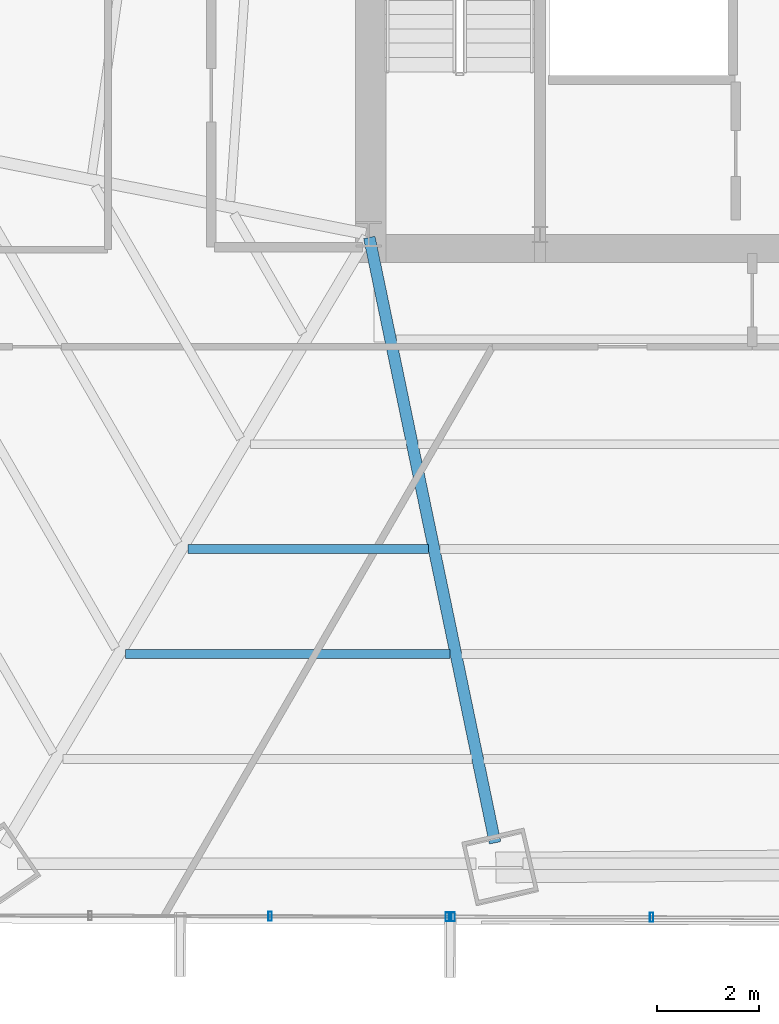
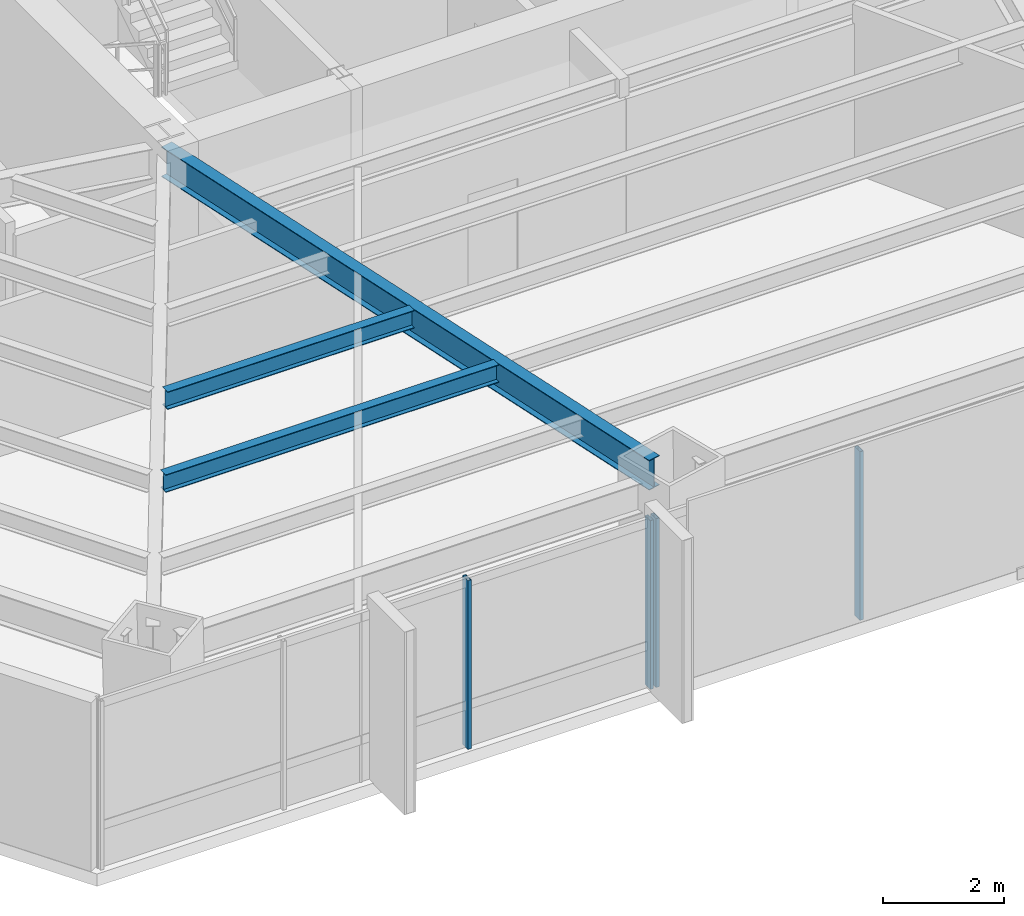
# One storey, part 5 of 33: 4 members, 3 beams, 2 elements without a shape of their own.
"""IFC4 building model written with IfcOpenShell, lengths in metres."""

import ifcopenshell
import ifcopenshell.guid

model = None  # the IFC model being written
_history = None  # IfcOwnerHistory: only IFC2X3 demands one
_inside = {}  # id of a spatial element -> (the spatial element, [elements in it])
_under = {}  # id of a project, library or spatial element -> (it, [spatial elements below it])
_declared = {}  # id of a project -> (the project, [libraries it declares])
_typed = {}  # id of a type object -> (the type object, [elements of that type])
_made_of = {}  # id of a material, layer set ... -> (it, [elements and type objects made of it])


def new_model(schema):
    """Start an empty IFC model of exactly this schema.

    Asked for "IFC4X3", IfcOpenShell would pick the latest addendum, in which some entities
    have other attributes; the version numbers below select the first issue.
    IFC2X3 requires an IfcOwnerHistory on every rooted entity: one is made here for all.
    """
    global model, _history
    if schema == "IFC4X3":
        model = ifcopenshell.file(schema_version=(4, 3, 0, 0))
    else:
        model = ifcopenshell.file(schema=schema)
    _inside.clear()
    _under.clear()
    _declared.clear()
    _typed.clear()
    _made_of.clear()
    _history = None
    if model.schema == "IFC2X3":
        org = make("IfcOrganization", Name="unknown")
        user = make(
            "IfcPersonAndOrganization",
            ThePerson=make("IfcPerson", FamilyName="unknown"),
            TheOrganization=org,
        )
        app = make(
            "IfcApplication",
            ApplicationDeveloper=org,
            Version="unknown",
            ApplicationFullName="unknown",
            ApplicationIdentifier="unknown",
        )
        _history = make(
            "IfcOwnerHistory",
            OwningUser=user,
            OwningApplication=app,
            ChangeAction="ADDED",
            CreationDate=0,
        )
    return model


def make(cls, **values):
    """One entity of the class cls with the attributes given. An attribute that is None is left unset."""
    return model.create_entity(
        cls, **{name: value for name, value in values.items() if value is not None}
    )


def rooted(cls, **values):
    """An entity with a GlobalId (a new one), such as an element, a storey or a relation."""
    return make(cls, GlobalId=ifcopenshell.guid.new(), OwnerHistory=_history, **values)


def si_unit(unit_type, name, prefix=None):
    """IfcSIUnit, for example si_unit("LENGTHUNIT", "METRE", prefix="MILLI")."""
    return make("IfcSIUnit", UnitType=unit_type, Prefix=prefix, Name=name)


def assignment(units):
    """IfcUnitAssignment: the units of a project."""
    return None if units is None else make("IfcUnitAssignment", Units=units)


def point(xyz):
    """IfcCartesianPoint."""
    return None if xyz is None else make("IfcCartesianPoint", Coordinates=xyz)


def direction(xyz):
    """IfcDirection."""
    return None if xyz is None else make("IfcDirection", DirectionRatios=xyz)


def frame(location, z_axis=None, x_axis=None):
    """IfcAxis2Placement3D, a coordinate frame: its origin and axes. An axis left out is left unset."""
    return make(
        "IfcAxis2Placement3D",
        Location=point(location),
        Axis=direction(z_axis),
        RefDirection=direction(x_axis),
    )


def frame_2d(location, x_axis=None):
    """IfcAxis2Placement2D, a coordinate frame in the plane: its origin and x axis."""
    return make(
        "IfcAxis2Placement2D", Location=point(location), RefDirection=direction(x_axis)
    )


def origin():
    """The frame at (0, 0, 0) with its axes left unset."""
    return frame((0.0, 0.0, 0.0))


def origin_2d():
    """The frame at (0, 0) in the plane with its x axis left unset."""
    return frame_2d((0.0, 0.0))


def place(relative_to, where):
    """IfcLocalPlacement: puts the frame where relative to a parent placement (None: the world)."""
    return make(
        "IfcLocalPlacement", PlacementRelTo=relative_to, RelativePlacement=where
    )


def context(
    kind, dimensions, precision=None, world=None, true_north=None, identifier=None
):
    """IfcGeometricRepresentationContext, for example the 3D "Model" context."""
    return make(
        "IfcGeometricRepresentationContext",
        ContextIdentifier=identifier,
        ContextType=kind,
        CoordinateSpaceDimension=dimensions,
        Precision=precision,
        WorldCoordinateSystem=world,
        TrueNorth=true_north,
    )


def subcontext(parent, identifier, kind, view, scale=None):
    """IfcGeometricRepresentationSubContext, for example "Body" below "Model"."""
    return make(
        "IfcGeometricRepresentationSubContext",
        ContextIdentifier=identifier,
        ContextType=kind,
        ParentContext=parent,
        TargetScale=scale,
        TargetView=view,
    )


def project(units=None, contexts=None):
    """IfcProject with its units and contexts."""
    return rooted(
        "IfcProject",
        Name="project",
        RepresentationContexts=contexts,
        UnitsInContext=assignment(units),
    )


def spatial(cls, under=None, at=None, **own):
    """A site, building, storey or space (cls), placed at a placement, below another one or the project."""
    s = rooted(cls, ObjectPlacement=at, **own)
    if under is not None:
        _under.setdefault(under.id(), (under, []))[1].append(s)
    return s


def profile(cls, at=None, kind="AREA", **sizes):
    """A parametric profile (cls). Its sizes go by their IFC names, for example OverallWidth=200.0."""
    return make(cls, ProfileType=kind, Position=at, **sizes)


def hollow_rectangle(**sizes):
    """IfcRectangleHollowProfileDef."""
    return profile("IfcRectangleHollowProfileDef", **sizes)


def i_section(**sizes):
    """IfcIShapeProfileDef."""
    return profile("IfcIShapeProfileDef", **sizes)


def extrude(swept, where, along, depth):
    """IfcExtrudedAreaSolid: the profile swept, set in the frame where, extruded along a direction by depth."""
    return make(
        "IfcExtrudedAreaSolid",
        SweptArea=swept,
        Position=where,
        ExtrudedDirection=direction(along),
        Depth=depth,
    )


def shape(context_of_items, identifier, shape_type, items):
    """IfcShapeRepresentation: the items that make up one representation, for example the "Body"."""
    return make(
        "IfcShapeRepresentation",
        ContextOfItems=context_of_items,
        RepresentationIdentifier=identifier,
        RepresentationType=shape_type,
        Items=items,
    )


def source(mapping_origin, context_of_items, identifier, shape_type, items):
    """IfcRepresentationMap: a shape defined once, which mapped items show again and again."""
    return make(
        "IfcRepresentationMap",
        MappingOrigin=mapping_origin,
        MappedRepresentation=shape(context_of_items, identifier, shape_type, items),
    )


def transform(
    local_origin,
    x_axis=None,
    y_axis=None,
    z_axis=None,
    scale=None,
    scale2=None,
    scale3=None,
    uniform=True,
):
    """IfcCartesianTransformationOperator3D, or its non-uniform kind. x_axis, y_axis, z_axis: its Axis1, 2, 3."""
    if uniform:
        return make(
            "IfcCartesianTransformationOperator3D",
            Axis1=direction(x_axis),
            Axis2=direction(y_axis),
            LocalOrigin=point(local_origin),
            Scale=scale,
            Axis3=direction(z_axis),
        )
    return make(
        "IfcCartesianTransformationOperator3DnonUniform",
        Axis1=direction(x_axis),
        Axis2=direction(y_axis),
        LocalOrigin=point(local_origin),
        Scale=scale,
        Axis3=direction(z_axis),
        Scale2=scale2,
        Scale3=scale3,
    )


def mapped(mapping_source, mapping_target):
    """IfcMappedItem: shows the shape of a source again, moved by a transform."""
    return make(
        "IfcMappedItem", MappingSource=mapping_source, MappingTarget=mapping_target
    )


def material(Name=None, Category=None):
    """IfcMaterial."""
    return make("IfcMaterial", Name=Name, Category=Category)


def material_profile(
    of_material, cross_section, Name=None, Category=None, Priority=None
):
    """IfcMaterialProfile: a cross section and its material."""
    return make(
        "IfcMaterialProfile",
        Name=Name,
        Material=of_material,
        Profile=cross_section,
        Priority=Priority,
        Category=Category,
    )


def profile_set(profiles, Name=None, composite=None):
    """IfcMaterialProfileSet."""
    return make(
        "IfcMaterialProfileSet",
        Name=Name,
        MaterialProfiles=profiles,
        CompositeProfile=composite,
    )


def made_of(thing, what):
    """Note that an element or type object is made of a material, layer set ...; save() writes the relation."""
    if what is not None:
        _made_of.setdefault(what.id(), (what, []))[1].append(thing)
    return thing


def type_object(cls, material=None, **own):
    """A type object (cls), such as IfcWallType, which elements share."""
    return made_of(rooted(cls, **own), material)


def type_shapes(of_type, sources):
    """Give a type object the sources (RepresentationMaps) that its elements show as mapped items."""
    of_type.RepresentationMaps = sources


def element(
    cls,
    number,
    at=None,
    inside=None,
    cuts=None,
    type_object=None,
    material=None,
    context=None,
    identifier="Body",
    shape_type=None,
    held_by="IfcProductDefinitionShape",
    body=None,
    shapes=None,
    **own,
):
    """One element of the class cls, such as IfcWall. Its Tag is "e" and its number.

    at: its placement. inside: the storey or other place that contains it. cuts: it is an
    opening in that element (IfcRelVoidsElement). A single representation is given by context,
    identifier, shape_type and body (its items); several are given by shapes. held_by: the class
    of the entity that holds the representations. save() writes the other relations.
    """
    e = rooted(cls, Tag="e%d" % number, ObjectPlacement=at, **own)
    if body is not None:
        shapes = [shape(context, identifier, shape_type, body)]
    if shapes is not None:
        e.Representation = make(held_by, Representations=shapes)
    if inside is not None:
        _inside.setdefault(inside.id(), (inside, []))[1].append(e)
    if cuts is not None:
        rooted(
            "IfcRelVoidsElement", RelatingBuildingElement=cuts, RelatedOpeningElement=e
        )
    if type_object is not None:
        _typed.setdefault(type_object.id(), (type_object, []))[1].append(e)
    return made_of(e, material)


def aggregate(whole, parts):
    """IfcRelAggregates: a whole, such as a stair, and the parts it consists of."""
    return rooted("IfcRelAggregates", RelatingObject=whole, RelatedObjects=parts)


def save(model, path):
    """Write the relations noted so far, then the file.

    IfcRelAggregates (storeys below a building ...), IfcRelContainedInSpatialStructure (elements
    in a storey), IfcRelDefinesByType, IfcRelAssociatesMaterial and IfcRelDeclares: one each for
    every whole, place, type object, material and project.
    """
    for whole, parts in _under.values():
        aggregate(whole, parts)
    for where, things in _inside.values():
        rooted(
            "IfcRelContainedInSpatialStructure",
            RelatedElements=things,
            RelatingStructure=where,
        )
    for kind, things in _typed.values():
        rooted("IfcRelDefinesByType", RelatedObjects=things, RelatingType=kind)
    for what, things in _made_of.values():
        rooted("IfcRelAssociatesMaterial", RelatedObjects=things, RelatingMaterial=what)
    for by, libraries in _declared.values():
        rooted("IfcRelDeclares", RelatingContext=by, RelatedDefinitions=libraries)
    model.write(path)


model = new_model("IFC4")

# Units and contexts
model_context = context("Model", 3, precision=1e-05, world=origin(), true_north=direction((0.0, 1.0)))
body_context = subcontext(model_context, "Body", "Model", "MODEL_VIEW")
ifc_project = project(units=[si_unit("LENGTHUNIT", "METRE"), si_unit("AREAUNIT", "SQUARE_METRE"), si_unit("VOLUMEUNIT", "CUBIC_METRE"), si_unit("PLANEANGLEUNIT", "RADIAN"), si_unit("MASSUNIT", "GRAM", prefix="KILO")], contexts=[model_context])

# Site, building, storey
site_placement = place(None, origin())
site = spatial("IfcSite", under=ifc_project, at=site_placement, CompositionType="ELEMENT")
building_placement = place(site_placement, origin())
building = spatial("IfcBuilding", under=site, at=building_placement, Name="Caelisora Broadcast Tower", CompositionType="ELEMENT")
storey_placement = place(building_placement, frame((0.0, 0.0, 38.550048828125)))
storey = spatial("IfcBuildingStorey", under=building, at=storey_placement, Name="L09", CompositionType="ELEMENT", Elevation=38.550048828125)

# Beams
ifc_material_1 = material(Name="Steel Grade 350 (AS/NZS 3679.1)", Category="steel")
ifc_material_profile_1 = material_profile(ifc_material_1, i_section(OverallWidth=0.22802734375, OverallDepth=0.602294921875, WebThickness=0.010498046875, FlangeThickness=0.014892578125, at=origin_2d()), Name="Steel Grade 350 (AS/NZS 3679.1)")
ifc_profile_set_1 = profile_set([ifc_material_profile_1], Name="Steel Grade 350 (AS/NZS 3679.1)")
beam_type_1 = type_object("IfcBeamType", Name="PG04", PredefinedType="BEAM", material=ifc_profile_set_1)
shared_shape_1 = source(origin(), body_context, "Body", "SweptSolid", [
    extrude(i_section(OverallWidth=0.22802734375, OverallDepth=0.602294921875, WebThickness=0.010498046875, FlangeThickness=0.014892578125, at=origin_2d()), origin(), (0.0, 0.0, 1.0), 12.093505859375),
])
type_shapes(beam_type_1, [shared_shape_1])
beam_1_placement = place(storey_placement, frame((30.51220703125, 17.34130859375, 3.098876953125), z_axis=(0.203370555803, -0.979101842013, 0.0), x_axis=(0.979101842013, 0.203370555803, 0.0)))
element("IfcBeam", 1, at=beam_1_placement, inside=storey, type_object=beam_type_1, Name="L09 beam PG04", PredefinedType="BEAM", context=body_context, shape_type="MappedRepresentation", body=[
    mapped(shared_shape_1, transform((0.0, 0.0, 0.0), scale=1.0)),
])
ifc_material_profile_2 = material_profile(ifc_material_1, i_section(OverallWidth=0.172119140625, OverallDepth=0.358642578125, WebThickness=0.008056640625, FlangeThickness=0.012939453125, at=origin_2d()), Name="Steel Grade 350 (AS/NZS 3679.1)")
ifc_profile_set_2 = profile_set([ifc_material_profile_2], Name="Steel Grade 350 (AS/NZS 3679.1)")
beam_type_2 = type_object("IfcBeamType", Name="SB02", PredefinedType="JOIST", material=ifc_profile_set_2)
shared_shape_2 = source(origin(), body_context, "Body", "SweptSolid", [
    extrude(i_section(OverallWidth=0.172119140625, OverallDepth=0.358642578125, WebThickness=0.008056640625, FlangeThickness=0.012939453125, at=origin_2d()), origin(), (0.0, 0.0, 1.0), 4.699951171875),
])
beam_2_placement = place(storey_placement, frame((26.965087890625, 11.24462890625, 3.220703125), z_axis=(1.0, 0.0, 0.0), x_axis=(0.0, 1.0, 0.0)))
element("IfcBeam", 2, at=beam_2_placement, inside=storey, type_object=beam_type_2, Name="L09 beam SB02", PredefinedType="JOIST", context=body_context, shape_type="MappedRepresentation", body=[
    mapped(shared_shape_2, transform((0.0, 0.0, 0.0), scale=1.0)),
])
shared_shape_3 = source(origin(), body_context, "Body", "SweptSolid", [
    extrude(i_section(OverallWidth=0.172119140625, OverallDepth=0.358642578125, WebThickness=0.008056640625, FlangeThickness=0.012939453125, at=origin_2d()), origin(), (0.0, 0.0, 1.0), 6.34765625),
])
type_shapes(beam_type_2, [shared_shape_2, shared_shape_3])
beam_3_placement = place(storey_placement, frame((25.74365234375, 9.19287109375, 3.220703125), z_axis=(1.0, 0.0, 0.0), x_axis=(0.0, 1.0, 0.0)))
element("IfcBeam", 3, at=beam_3_placement, inside=storey, type_object=beam_type_2, Name="L09 beam SB02", PredefinedType="JOIST", context=body_context, shape_type="MappedRepresentation", body=[
    mapped(shared_shape_3, transform((0.0, 0.0, 0.0), scale=1.0)),
])

# Curtain wall, members
ifc_material_2 = material(Name="Unitised Aluminium Insulated Shadow-Box Spandrel Curtain Wall", Category="aluminium")
curtain_wall_type_1 = type_object("IfcCurtainWallType", Name="CW-SP1", PredefinedType="NOTDEFINED", material=ifc_material_2)
curtain_wall_1_placement = place(storey_placement, origin())
curtain_wall_1 = element("IfcCurtainWall", 4, at=curtain_wall_1_placement, inside=storey, type_object=curtain_wall_type_1, Name="L09 curtain wall CW-SP1", PredefinedType="NOTDEFINED")
ifc_material_3 = material(Name="Aluminium 6063-T6 Anodised Terracotta Bronze", Category="aluminium")
ifc_material_profile_3 = material_profile(ifc_material_3, hollow_rectangle(XDim=0.06494140625, YDim=0.179931640625, WallThickness=0.00341796875, at=origin_2d()), Name="Aluminium 6063-T6 Anodised Terracotta Bronze")
ifc_profile_set_3 = profile_set([ifc_material_profile_3], Name="Aluminium 6063-T6 Anodised Terracotta Bronze")
member_type = type_object("IfcMemberType", Name="CWM-02", PredefinedType="MULLION", material=ifc_profile_set_3)
shared_shape_4 = source(origin(), body_context, "Body", "SweptSolid", [
    extrude(hollow_rectangle(XDim=0.06494140625, YDim=0.179931640625, WallThickness=0.00341796875, at=origin_2d()), origin(), (0.0, 0.0, 1.0), 3.39990234375),
])
type_shapes(member_type, [shared_shape_4])
member_1_placement = place(storey_placement, frame((36.03173828125, 4.04248046875, 0.0), z_axis=(0.0, 0.0, 1.0), x_axis=(1.0, 0.0, 0.0)))
member_1 = element("IfcMember", 5, at=member_1_placement, type_object=member_type, Name="L09-CW-B06 mullion #2", PredefinedType="MULLION", context=body_context, shape_type="MappedRepresentation", body=[
    mapped(shared_shape_4, transform((0.0, 0.0, 0.0), scale=1.0)),
])
member_2_placement = place(storey_placement, frame((32.150634765625, 4.05322265625, 0.0), z_axis=(0.0, 0.0, 1.0), x_axis=(1.0, 0.0, 0.0)))
member_2 = element("IfcMember", 6, at=member_2_placement, type_object=member_type, Name="L09-CW-B06 mullion #3", PredefinedType="MULLION", context=body_context, shape_type="MappedRepresentation", body=[
    mapped(shared_shape_4, transform((0.0, 0.0, 0.0), scale=1.0)),
])
aggregate(curtain_wall_1, [member_1, member_2])

ifc_material_4 = material(Name="Unitised Aluminium and Low-E Glass Curtain Wall", Category="glass")
curtain_wall_type_2 = type_object("IfcCurtainWallType", Name="CW-Z1", PredefinedType="NOTDEFINED", material=ifc_material_4)
curtain_wall_2_placement = place(storey_placement, origin())
curtain_wall_2 = element("IfcCurtainWall", 7, at=curtain_wall_2_placement, inside=storey, type_object=curtain_wall_type_2, Name="L09 curtain wall CW-Z1", PredefinedType="NOTDEFINED")
member_3_placement = place(storey_placement, frame((32.040771484375, 4.0537109375, 0.0), z_axis=(0.0, 0.0, 1.0), x_axis=(1.0, 0.0, 0.0)))
member_3 = element("IfcMember", 8, at=member_3_placement, type_object=member_type, Name="L09-CW-B07 mullion #0", PredefinedType="MULLION", context=body_context, shape_type="MappedRepresentation", body=[
    mapped(shared_shape_4, transform((0.0, 0.0, 0.0), scale=1.0)),
])
member_4_placement = place(storey_placement, frame((28.57080078125, 4.063232421875, 0.0), z_axis=(0.0, 0.0, 1.0), x_axis=(1.0, 0.0, 0.0)))
member_4 = element("IfcMember", 9, at=member_4_placement, type_object=member_type, Name="L09-CW-B07 mullion #1", PredefinedType="MULLION", context=body_context, shape_type="MappedRepresentation", body=[
    mapped(shared_shape_4, transform((0.0, 0.0, 0.0), scale=1.0)),
])
aggregate(curtain_wall_2, [member_3, member_4])

save(model, "model.ifc")
